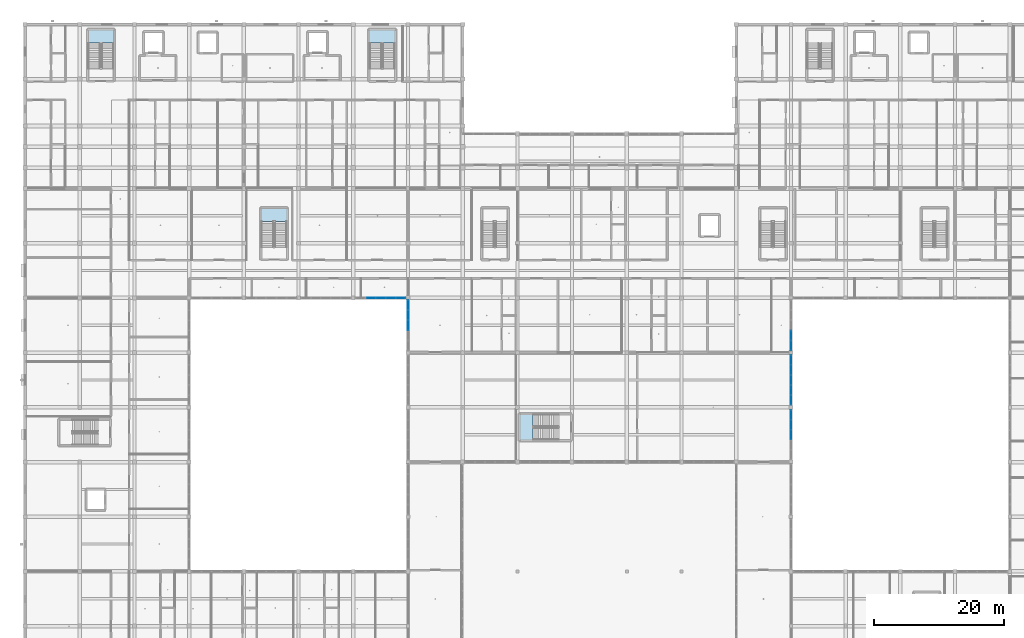
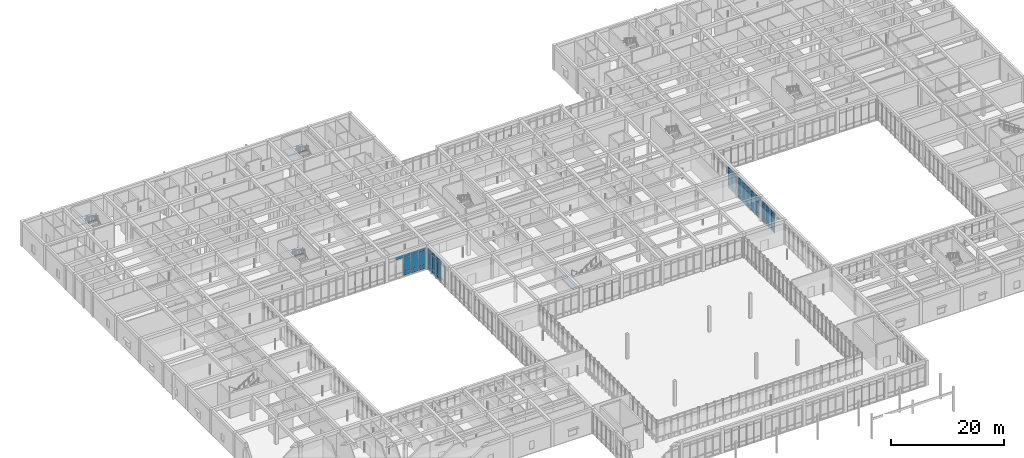
# One storey, part 67 of 157: 49 plates, 4 slabs, 9 elements without a shape of their own.
"""IFC4 building model written with IfcOpenShell, lengths in metres."""

from ifc_helpers import new_model, si_unit, direction, frame, origin, origin_2d, place, context, subcontext, project, spatial, polyline, rectangle, outline, extrude, material, layer, layer_set, type_object, element, aggregate, save


model = new_model("IFC4")

# Units and contexts
model_context = context("Model", 3, precision=1e-05, world=origin(), true_north=direction((0.0, 1.0)))
body_context = subcontext(model_context, "Body", "Model", "MODEL_VIEW")
ifc_project = project(units=[si_unit("LENGTHUNIT", "METRE"), si_unit("AREAUNIT", "SQUARE_METRE"), si_unit("VOLUMEUNIT", "CUBIC_METRE"), si_unit("PLANEANGLEUNIT", "RADIAN"), si_unit("MASSUNIT", "GRAM", prefix="KILO")], contexts=[model_context])

# Site, building, storey
site_placement = place(None, origin())
site = spatial("IfcSite", under=ifc_project, at=site_placement, CompositionType="ELEMENT")
building_placement = place(site_placement, origin())
building = spatial("IfcBuilding", under=site, at=building_placement, Name="Varncliffe General Hospital", CompositionType="ELEMENT")
storey_placement = place(building_placement, frame((0.0, 0.0, 5.39990234375)))
storey = spatial("IfcBuildingStorey", under=building, at=storey_placement, Name="L01", CompositionType="ELEMENT", Elevation=5.39990234375)

# Curtain wall, plates
ifc_material_1 = material(Name="Triple low-E argon insulated vision glazing", Category="glass")
curtain_wall_type_1 = type_object("IfcCurtainWallType", Name="Unitised Glazed Curtain Wall CW70 (7724x4640)", PredefinedType="USERDEFINED", material=ifc_material_1)
curtain_wall_1_placement = place(storey_placement, origin())
curtain_wall_1 = element("IfcCurtainWall", 1, at=curtain_wall_1_placement, inside=storey, type_object=curtain_wall_type_1, Name="L01 Glazed Curtain Wall CW70-55", ObjectType="GLAZED CURTAIN WALL", PredefinedType="USERDEFINED")
ifc_layer_1 = layer(ifc_material_1, 0.0439453125)
ifc_layer_set_1 = layer_set([ifc_layer_1], Name="Triple low-E argon insulated vision glazing")
plate_type_1 = type_object("IfcPlateType", Name="Curtain Wall Glazing Panel CP12 (44mm)", PredefinedType="CURTAIN_PANEL", material=ifc_layer_set_1)
plate_1_placement = place(storey_placement, frame((117.60009765625, 73.270751953125, 0.06005859375), z_axis=(0.0, 0.0, 1.0), x_axis=(0.0, -1.0, 0.0)))
plate_1 = element("IfcPlate", 2, at=plate_1_placement, type_object=plate_type_1, Name="CW70 panel 1.1", PredefinedType="CURTAIN_PANEL", context=body_context, shape_type="SweptSolid", body=[
    extrude(rectangle(XDim=1.432373046875, YDim=0.0439453125, at=origin_2d()), origin(), (0.0, 0.0, 1.0), 0.81005859375),
])
plate_2_placement = place(storey_placement, frame((117.60009765625, 73.270751953125, 0.93017578125), z_axis=(0.0, 0.0, 1.0), x_axis=(0.0, -1.0, 0.0)))
plate_2 = element("IfcPlate", 3, at=plate_2_placement, type_object=plate_type_1, Name="CW70 panel 1.2", PredefinedType="CURTAIN_PANEL", context=body_context, shape_type="SweptSolid", body=[
    extrude(rectangle(XDim=1.432373046875, YDim=0.0439453125, at=origin_2d()), origin(), (0.0, 0.0, 1.0), 2.97998046875),
])
plate_3_placement = place(storey_placement, frame((117.60009765625, 73.270751953125, 3.97021484375), z_axis=(0.0, 0.0, 1.0), x_axis=(0.0, -1.0, 0.0)))
plate_3 = element("IfcPlate", 4, at=plate_3_placement, type_object=plate_type_1, Name="CW70 panel 1.3", PredefinedType="CURTAIN_PANEL", context=body_context, shape_type="SweptSolid", body=[
    extrude(rectangle(XDim=1.432373046875, YDim=0.0439453125, at=origin_2d()), origin(), (0.0, 0.0, 1.0), 0.610107421875),
])
plate_4_placement = place(storey_placement, frame((117.60009765625, 71.744873046875, 0.06005859375), z_axis=(0.0, 0.0, 1.0), x_axis=(0.0, -1.0, 0.0)))
plate_4 = element("IfcPlate", 5, at=plate_4_placement, type_object=plate_type_1, Name="CW70 panel 2.1", PredefinedType="CURTAIN_PANEL", context=body_context, shape_type="SweptSolid", body=[
    extrude(rectangle(XDim=1.4697265625, YDim=0.0439453125, at=origin_2d()), origin(), (0.0, 0.0, 1.0), 0.81005859375),
])
plate_5_placement = place(storey_placement, frame((117.60009765625, 71.744873046875, 0.93017578125), z_axis=(0.0, 0.0, 1.0), x_axis=(0.0, -1.0, 0.0)))
plate_5 = element("IfcPlate", 6, at=plate_5_placement, type_object=plate_type_1, Name="CW70 panel 2.2", PredefinedType="CURTAIN_PANEL", context=body_context, shape_type="SweptSolid", body=[
    extrude(rectangle(XDim=1.4697265625, YDim=0.0439453125, at=origin_2d()), origin(), (0.0, 0.0, 1.0), 2.97998046875),
])
plate_6_placement = place(storey_placement, frame((117.60009765625, 71.744873046875, 3.97021484375), z_axis=(0.0, 0.0, 1.0), x_axis=(0.0, -1.0, 0.0)))
plate_6 = element("IfcPlate", 7, at=plate_6_placement, type_object=plate_type_1, Name="CW70 panel 2.3", PredefinedType="CURTAIN_PANEL", context=body_context, shape_type="SweptSolid", body=[
    extrude(rectangle(XDim=1.4697265625, YDim=0.0439453125, at=origin_2d()), origin(), (0.0, 0.0, 1.0), 0.610107421875),
])
plate_7_placement = place(storey_placement, frame((117.60009765625, 70.199951171875, 0.06005859375), z_axis=(0.0, 0.0, 1.0), x_axis=(0.0, -1.0, 0.0)))
plate_7 = element("IfcPlate", 8, at=plate_7_placement, type_object=plate_type_1, Name="CW70 panel 3.1", PredefinedType="CURTAIN_PANEL", context=body_context, shape_type="SweptSolid", body=[
    extrude(rectangle(XDim=1.4697265625, YDim=0.0439453125, at=origin_2d()), origin(), (0.0, 0.0, 1.0), 0.81005859375),
])
plate_8_placement = place(storey_placement, frame((117.60009765625, 70.199951171875, 0.93017578125), z_axis=(0.0, 0.0, 1.0), x_axis=(0.0, -1.0, 0.0)))
plate_8 = element("IfcPlate", 9, at=plate_8_placement, type_object=plate_type_1, Name="CW70 panel 3.2", PredefinedType="CURTAIN_PANEL", context=body_context, shape_type="SweptSolid", body=[
    extrude(rectangle(XDim=1.4697265625, YDim=0.0439453125, at=origin_2d()), origin(), (0.0, 0.0, 1.0), 2.97998046875),
])
plate_9_placement = place(storey_placement, frame((117.60009765625, 70.199951171875, 3.97021484375), z_axis=(0.0, 0.0, 1.0), x_axis=(0.0, -1.0, 0.0)))
plate_9 = element("IfcPlate", 10, at=plate_9_placement, type_object=plate_type_1, Name="CW70 panel 3.3", PredefinedType="CURTAIN_PANEL", context=body_context, shape_type="SweptSolid", body=[
    extrude(rectangle(XDim=1.4697265625, YDim=0.0439453125, at=origin_2d()), origin(), (0.0, 0.0, 1.0), 0.610107421875),
])
plate_10_placement = place(storey_placement, frame((117.60009765625, 68.6552734375, 0.06005859375), z_axis=(0.0, 0.0, 1.0), x_axis=(0.0, -1.0, 0.0)))
plate_10 = element("IfcPlate", 11, at=plate_10_placement, type_object=plate_type_1, Name="CW70 panel 4.1", PredefinedType="CURTAIN_PANEL", context=body_context, shape_type="SweptSolid", body=[
    extrude(rectangle(XDim=1.4697265625, YDim=0.0439453125, at=origin_2d()), origin(), (0.0, 0.0, 1.0), 0.81005859375),
])
plate_11_placement = place(storey_placement, frame((117.60009765625, 68.6552734375, 0.93017578125), z_axis=(0.0, 0.0, 1.0), x_axis=(0.0, -1.0, 0.0)))
plate_11 = element("IfcPlate", 12, at=plate_11_placement, type_object=plate_type_1, Name="CW70 panel 4.2", PredefinedType="CURTAIN_PANEL", context=body_context, shape_type="SweptSolid", body=[
    extrude(rectangle(XDim=1.4697265625, YDim=0.0439453125, at=origin_2d()), origin(), (0.0, 0.0, 1.0), 2.97998046875),
])
plate_12_placement = place(storey_placement, frame((117.60009765625, 68.6552734375, 3.97021484375), z_axis=(0.0, 0.0, 1.0), x_axis=(0.0, -1.0, 0.0)))
plate_12 = element("IfcPlate", 13, at=plate_12_placement, type_object=plate_type_1, Name="CW70 panel 4.3", PredefinedType="CURTAIN_PANEL", context=body_context, shape_type="SweptSolid", body=[
    extrude(rectangle(XDim=1.4697265625, YDim=0.0439453125, at=origin_2d()), origin(), (0.0, 0.0, 1.0), 0.610107421875),
])
plate_13_placement = place(storey_placement, frame((117.60009765625, 67.129150390625, 0.06005859375), z_axis=(0.0, 0.0, 1.0), x_axis=(0.0, -1.0, 0.0)))
plate_13 = element("IfcPlate", 14, at=plate_13_placement, type_object=plate_type_1, Name="CW70 panel 5.1", PredefinedType="CURTAIN_PANEL", context=body_context, shape_type="SweptSolid", body=[
    extrude(rectangle(XDim=1.432373046875, YDim=0.0439453125, at=origin_2d()), origin(), (0.0, 0.0, 1.0), 0.81005859375),
])
plate_14_placement = place(storey_placement, frame((117.60009765625, 67.129150390625, 0.93017578125), z_axis=(0.0, 0.0, 1.0), x_axis=(0.0, -1.0, 0.0)))
plate_14 = element("IfcPlate", 15, at=plate_14_placement, type_object=plate_type_1, Name="CW70 panel 5.2", PredefinedType="CURTAIN_PANEL", context=body_context, shape_type="SweptSolid", body=[
    extrude(rectangle(XDim=1.432373046875, YDim=0.0439453125, at=origin_2d()), origin(), (0.0, 0.0, 1.0), 2.97998046875),
])
plate_15_placement = place(storey_placement, frame((117.60009765625, 67.129150390625, 3.97021484375), z_axis=(0.0, 0.0, 1.0), x_axis=(0.0, -1.0, 0.0)))
plate_15 = element("IfcPlate", 16, at=plate_15_placement, type_object=plate_type_1, Name="CW70 panel 5.3", PredefinedType="CURTAIN_PANEL", context=body_context, shape_type="SweptSolid", body=[
    extrude(rectangle(XDim=1.432373046875, YDim=0.0439453125, at=origin_2d()), origin(), (0.0, 0.0, 1.0), 0.610107421875),
])
aggregate(curtain_wall_1, [plate_1, plate_2, plate_3, plate_4, plate_5, plate_6, plate_7, plate_8, plate_9, plate_10, plate_11, plate_12, plate_13, plate_14, plate_15])

curtain_wall_2_placement = place(storey_placement, origin())
curtain_wall_2 = element("IfcCurtainWall", 17, at=curtain_wall_2_placement, inside=storey, type_object=curtain_wall_type_1, Name="L01 Glazed Curtain Wall CW70-73", ObjectType="GLAZED CURTAIN WALL", PredefinedType="USERDEFINED")
plate_16_placement = place(storey_placement, frame((57.6708984375, 82.800048828125, 0.06005859375), z_axis=(0.0, 0.0, 1.0), x_axis=(-1.0, 0.0, 0.0)))
plate_16 = element("IfcPlate", 18, at=plate_16_placement, type_object=plate_type_1, Name="CW70 panel 1.1", PredefinedType="CURTAIN_PANEL", context=body_context, shape_type="SweptSolid", body=[
    extrude(rectangle(XDim=1.432373046875, YDim=0.0439453125, at=origin_2d()), origin(), (0.0, 0.0, 1.0), 0.81005859375),
])
plate_17_placement = place(storey_placement, frame((57.6708984375, 82.800048828125, 0.93017578125), z_axis=(0.0, 0.0, 1.0), x_axis=(-1.0, 0.0, 0.0)))
plate_17 = element("IfcPlate", 19, at=plate_17_placement, type_object=plate_type_1, Name="CW70 panel 1.2", PredefinedType="CURTAIN_PANEL", context=body_context, shape_type="SweptSolid", body=[
    extrude(rectangle(XDim=1.432373046875, YDim=0.0439453125, at=origin_2d()), origin(), (0.0, 0.0, 1.0), 2.97998046875),
])
plate_18_placement = place(storey_placement, frame((57.6708984375, 82.800048828125, 3.97021484375), z_axis=(0.0, 0.0, 1.0), x_axis=(-1.0, 0.0, 0.0)))
plate_18 = element("IfcPlate", 20, at=plate_18_placement, type_object=plate_type_1, Name="CW70 panel 1.3", PredefinedType="CURTAIN_PANEL", context=body_context, shape_type="SweptSolid", body=[
    extrude(rectangle(XDim=1.432373046875, YDim=0.0439453125, at=origin_2d()), origin(), (0.0, 0.0, 1.0), 0.610107421875),
])
plate_19_placement = place(storey_placement, frame((56.144775390625, 82.800048828125, 0.06005859375), z_axis=(0.0, 0.0, 1.0), x_axis=(-1.0, 0.0, 0.0)))
plate_19 = element("IfcPlate", 21, at=plate_19_placement, type_object=plate_type_1, Name="CW70 panel 2.1", PredefinedType="CURTAIN_PANEL", context=body_context, shape_type="SweptSolid", body=[
    extrude(rectangle(XDim=1.4697265625, YDim=0.0439453125, at=origin_2d()), origin(), (0.0, 0.0, 1.0), 0.81005859375),
])
plate_20_placement = place(storey_placement, frame((56.144775390625, 82.800048828125, 0.93017578125), z_axis=(0.0, 0.0, 1.0), x_axis=(-1.0, 0.0, 0.0)))
plate_20 = element("IfcPlate", 22, at=plate_20_placement, type_object=plate_type_1, Name="CW70 panel 2.2", PredefinedType="CURTAIN_PANEL", context=body_context, shape_type="SweptSolid", body=[
    extrude(rectangle(XDim=1.4697265625, YDim=0.0439453125, at=origin_2d()), origin(), (0.0, 0.0, 1.0), 2.97998046875),
])
plate_21_placement = place(storey_placement, frame((56.144775390625, 82.800048828125, 3.97021484375), z_axis=(0.0, 0.0, 1.0), x_axis=(-1.0, 0.0, 0.0)))
plate_21 = element("IfcPlate", 23, at=plate_21_placement, type_object=plate_type_1, Name="CW70 panel 2.3", PredefinedType="CURTAIN_PANEL", context=body_context, shape_type="SweptSolid", body=[
    extrude(rectangle(XDim=1.4697265625, YDim=0.0439453125, at=origin_2d()), origin(), (0.0, 0.0, 1.0), 0.610107421875),
])
plate_22_placement = place(storey_placement, frame((54.60009765625, 82.800048828125, 0.06005859375), z_axis=(0.0, 0.0, 1.0), x_axis=(-1.0, 0.0, 0.0)))
plate_22 = element("IfcPlate", 24, at=plate_22_placement, type_object=plate_type_1, Name="CW70 panel 3.1", PredefinedType="CURTAIN_PANEL", context=body_context, shape_type="SweptSolid", body=[
    extrude(rectangle(XDim=1.4697265625, YDim=0.0439453125, at=origin_2d()), origin(), (0.0, 0.0, 1.0), 0.81005859375),
])
plate_23_placement = place(storey_placement, frame((54.60009765625, 82.800048828125, 0.93017578125), z_axis=(0.0, 0.0, 1.0), x_axis=(-1.0, 0.0, 0.0)))
plate_23 = element("IfcPlate", 25, at=plate_23_placement, type_object=plate_type_1, Name="CW70 panel 3.2", PredefinedType="CURTAIN_PANEL", context=body_context, shape_type="SweptSolid", body=[
    extrude(rectangle(XDim=1.4697265625, YDim=0.0439453125, at=origin_2d()), origin(), (0.0, 0.0, 1.0), 2.97998046875),
])
plate_24_placement = place(storey_placement, frame((54.60009765625, 82.800048828125, 3.97021484375), z_axis=(0.0, 0.0, 1.0), x_axis=(-1.0, 0.0, 0.0)))
plate_24 = element("IfcPlate", 26, at=plate_24_placement, type_object=plate_type_1, Name="CW70 panel 3.3", PredefinedType="CURTAIN_PANEL", context=body_context, shape_type="SweptSolid", body=[
    extrude(rectangle(XDim=1.4697265625, YDim=0.0439453125, at=origin_2d()), origin(), (0.0, 0.0, 1.0), 0.610107421875),
])
plate_25_placement = place(storey_placement, frame((53.05517578125, 82.800048828125, 3.97021484375), z_axis=(0.0, 0.0, 1.0), x_axis=(-1.0, 0.0, 0.0)))
plate_25 = element("IfcPlate", 27, at=plate_25_placement, type_object=plate_type_1, Name="CW70 panel 4.3", PredefinedType="CURTAIN_PANEL", context=body_context, shape_type="SweptSolid", body=[
    extrude(rectangle(XDim=1.4697265625, YDim=0.0439453125, at=origin_2d()), origin(), (0.0, 0.0, 1.0), 0.610107421875),
])
aggregate(curtain_wall_2, [plate_16, plate_17, plate_18, plate_19, plate_20, plate_21, plate_22, plate_23, plate_24, plate_25])

curtain_wall_type_2 = type_object("IfcCurtainWallType", Name="Unitised Glazed Curtain Wall CW85 (7804x4640)", PredefinedType="USERDEFINED", material=ifc_material_1)
curtain_wall_3_placement = place(storey_placement, origin())
curtain_wall_3 = element("IfcCurtainWall", 28, at=curtain_wall_3_placement, inside=storey, type_object=curtain_wall_type_2, Name="L01 Glazed Curtain Wall CW85-72", ObjectType="GLAZED CURTAIN WALL", PredefinedType="USERDEFINED")
ifc_layer_2 = layer(ifc_material_1, 0.035888671875)
ifc_layer_set_2 = layer_set([ifc_layer_2], Name="Triple low-E argon insulated vision glazing")
plate_type_2 = type_object("IfcPlateType", Name="Curtain Wall Glazing Panel CP27 (36mm)", PredefinedType="CURTAIN_PANEL", material=ifc_layer_set_2)
plate_26_placement = place(storey_placement, frame((117.60009765625, 77.039306640625, 0.06494140625), z_axis=(0.0, 0.0, 1.0), x_axis=(0.0, -1.0, 0.0)))
plate_26 = element("IfcPlate", 29, at=plate_26_placement, type_object=plate_type_2, Name="CW85 panel 4.1", PredefinedType="CURTAIN_PANEL", context=body_context, shape_type="SweptSolid", body=[
    extrude(rectangle(XDim=1.48583984375, YDim=0.035888671875, at=origin_2d()), origin(), (0.0, 0.0, 1.0), 0.802490234375),
])
plate_27_placement = place(storey_placement, frame((117.60009765625, 77.039306640625, 0.9326171875), z_axis=(0.0, 0.0, 1.0), x_axis=(0.0, -1.0, 0.0)))
plate_27 = element("IfcPlate", 30, at=plate_27_placement, type_object=plate_type_2, Name="CW85 panel 4.2", PredefinedType="CURTAIN_PANEL", context=body_context, shape_type="SweptSolid", body=[
    extrude(rectangle(XDim=1.48583984375, YDim=0.035888671875, at=origin_2d()), origin(), (0.0, 0.0, 1.0), 2.97509765625),
])
plate_28_placement = place(storey_placement, frame((117.60009765625, 77.039306640625, 3.97265625), z_axis=(0.0, 0.0, 1.0), x_axis=(0.0, -1.0, 0.0)))
plate_28 = element("IfcPlate", 31, at=plate_28_placement, type_object=plate_type_2, Name="CW85 panel 4.3", PredefinedType="CURTAIN_PANEL", context=body_context, shape_type="SweptSolid", body=[
    extrude(rectangle(XDim=1.48583984375, YDim=0.035888671875, at=origin_2d()), origin(), (0.0, 0.0, 1.0), 0.6025390625),
])
plate_29_placement = place(storey_placement, frame((117.60009765625, 75.4970703125, 0.06494140625), z_axis=(0.0, 0.0, 1.0), x_axis=(0.0, -1.0, 0.0)))
plate_29 = element("IfcPlate", 32, at=plate_29_placement, type_object=plate_type_2, Name="CW85 panel 5.1", PredefinedType="CURTAIN_PANEL", context=body_context, shape_type="SweptSolid", body=[
    extrude(rectangle(XDim=1.4482421875, YDim=0.035888671875, at=origin_2d()), origin(), (0.0, 0.0, 1.0), 0.802490234375),
])
plate_30_placement = place(storey_placement, frame((117.60009765625, 75.4970703125, 0.9326171875), z_axis=(0.0, 0.0, 1.0), x_axis=(0.0, -1.0, 0.0)))
plate_30 = element("IfcPlate", 33, at=plate_30_placement, type_object=plate_type_2, Name="CW85 panel 5.2", PredefinedType="CURTAIN_PANEL", context=body_context, shape_type="SweptSolid", body=[
    extrude(rectangle(XDim=1.4482421875, YDim=0.035888671875, at=origin_2d()), origin(), (0.0, 0.0, 1.0), 2.97509765625),
])
plate_31_placement = place(storey_placement, frame((117.60009765625, 75.4970703125, 3.97265625), z_axis=(0.0, 0.0, 1.0), x_axis=(0.0, -1.0, 0.0)))
plate_31 = element("IfcPlate", 34, at=plate_31_placement, type_object=plate_type_2, Name="CW85 panel 5.3", PredefinedType="CURTAIN_PANEL", context=body_context, shape_type="SweptSolid", body=[
    extrude(rectangle(XDim=1.4482421875, YDim=0.035888671875, at=origin_2d()), origin(), (0.0, 0.0, 1.0), 0.6025390625),
])
aggregate(curtain_wall_3, [plate_26, plate_27, plate_28, plate_29, plate_30, plate_31])

curtain_wall_4_placement = place(storey_placement, origin())
curtain_wall_4 = element("IfcCurtainWall", 35, at=curtain_wall_4_placement, inside=storey, type_object=curtain_wall_type_2, Name="L01 Glazed Curtain Wall CW85-90", ObjectType="GLAZED CURTAIN WALL", PredefinedType="USERDEFINED")
plate_32_placement = place(storey_placement, frame((58.800048828125, 78.60009765625, 0.06494140625), z_axis=(0.0, 0.0, 1.0), x_axis=(0.0, 1.0, 0.0)))
plate_32 = element("IfcPlate", 36, at=plate_32_placement, type_object=plate_type_2, Name="CW85 panel 3.1", PredefinedType="CURTAIN_PANEL", context=body_context, shape_type="SweptSolid", body=[
    extrude(rectangle(XDim=1.48583984375, YDim=0.035888671875, at=origin_2d()), origin(), (0.0, 0.0, 1.0), 0.802490234375),
])
plate_33_placement = place(storey_placement, frame((58.800048828125, 78.60009765625, 0.9326171875), z_axis=(0.0, 0.0, 1.0), x_axis=(0.0, 1.0, 0.0)))
plate_33 = element("IfcPlate", 37, at=plate_33_placement, type_object=plate_type_2, Name="CW85 panel 3.2", PredefinedType="CURTAIN_PANEL", context=body_context, shape_type="SweptSolid", body=[
    extrude(rectangle(XDim=1.48583984375, YDim=0.035888671875, at=origin_2d()), origin(), (0.0, 0.0, 1.0), 2.97509765625),
])
plate_34_placement = place(storey_placement, frame((58.800048828125, 78.60009765625, 3.97265625), z_axis=(0.0, 0.0, 1.0), x_axis=(0.0, 1.0, 0.0)))
plate_34 = element("IfcPlate", 38, at=plate_34_placement, type_object=plate_type_2, Name="CW85 panel 3.3", PredefinedType="CURTAIN_PANEL", context=body_context, shape_type="SweptSolid", body=[
    extrude(rectangle(XDim=1.48583984375, YDim=0.035888671875, at=origin_2d()), origin(), (0.0, 0.0, 1.0), 0.6025390625),
])
plate_35_placement = place(storey_placement, frame((58.800048828125, 80.160888671875, 0.06494140625), z_axis=(0.0, 0.0, 1.0), x_axis=(0.0, 1.0, 0.0)))
plate_35 = element("IfcPlate", 39, at=plate_35_placement, type_object=plate_type_2, Name="CW85 panel 4.1", PredefinedType="CURTAIN_PANEL", context=body_context, shape_type="SweptSolid", body=[
    extrude(rectangle(XDim=1.48583984375, YDim=0.035888671875, at=origin_2d()), origin(), (0.0, 0.0, 1.0), 0.802490234375),
])
plate_36_placement = place(storey_placement, frame((58.800048828125, 80.160888671875, 0.9326171875), z_axis=(0.0, 0.0, 1.0), x_axis=(0.0, 1.0, 0.0)))
plate_36 = element("IfcPlate", 40, at=plate_36_placement, type_object=plate_type_2, Name="CW85 panel 4.2", PredefinedType="CURTAIN_PANEL", context=body_context, shape_type="SweptSolid", body=[
    extrude(rectangle(XDim=1.48583984375, YDim=0.035888671875, at=origin_2d()), origin(), (0.0, 0.0, 1.0), 2.97509765625),
])
plate_37_placement = place(storey_placement, frame((58.800048828125, 80.160888671875, 3.97265625), z_axis=(0.0, 0.0, 1.0), x_axis=(0.0, 1.0, 0.0)))
plate_37 = element("IfcPlate", 41, at=plate_37_placement, type_object=plate_type_2, Name="CW85 panel 4.3", PredefinedType="CURTAIN_PANEL", context=body_context, shape_type="SweptSolid", body=[
    extrude(rectangle(XDim=1.48583984375, YDim=0.035888671875, at=origin_2d()), origin(), (0.0, 0.0, 1.0), 0.6025390625),
])
plate_38_placement = place(storey_placement, frame((58.800048828125, 81.702880859375, 0.06494140625), z_axis=(0.0, 0.0, 1.0), x_axis=(0.0, 1.0, 0.0)))
plate_38 = element("IfcPlate", 42, at=plate_38_placement, type_object=plate_type_2, Name="CW85 panel 5.1", PredefinedType="CURTAIN_PANEL", context=body_context, shape_type="SweptSolid", body=[
    extrude(rectangle(XDim=1.4482421875, YDim=0.035888671875, at=origin_2d()), origin(), (0.0, 0.0, 1.0), 0.802490234375),
])
plate_39_placement = place(storey_placement, frame((58.800048828125, 81.702880859375, 0.9326171875), z_axis=(0.0, 0.0, 1.0), x_axis=(0.0, 1.0, 0.0)))
plate_39 = element("IfcPlate", 43, at=plate_39_placement, type_object=plate_type_2, Name="CW85 panel 5.2", PredefinedType="CURTAIN_PANEL", context=body_context, shape_type="SweptSolid", body=[
    extrude(rectangle(XDim=1.4482421875, YDim=0.035888671875, at=origin_2d()), origin(), (0.0, 0.0, 1.0), 2.97509765625),
])
plate_40_placement = place(storey_placement, frame((58.800048828125, 81.702880859375, 3.97265625), z_axis=(0.0, 0.0, 1.0), x_axis=(0.0, 1.0, 0.0)))
plate_40 = element("IfcPlate", 44, at=plate_40_placement, type_object=plate_type_2, Name="CW85 panel 5.3", PredefinedType="CURTAIN_PANEL", context=body_context, shape_type="SweptSolid", body=[
    extrude(rectangle(XDim=1.4482421875, YDim=0.035888671875, at=origin_2d()), origin(), (0.0, 0.0, 1.0), 0.6025390625),
])
aggregate(curtain_wall_4, [plate_32, plate_33, plate_34, plate_35, plate_36, plate_37, plate_38, plate_39, plate_40])

curtain_wall_type_3 = type_object("IfcCurtainWallType", Name="Unitised Glazed Curtain Wall CW27 (7644x4640)", PredefinedType="USERDEFINED", material=ifc_material_1)
curtain_wall_5_placement = place(storey_placement, origin())
curtain_wall_5 = element("IfcCurtainWall", 45, at=curtain_wall_5_placement, inside=storey, type_object=curtain_wall_type_3, Name="L01 Glazed Curtain Wall CW27-56", ObjectType="GLAZED CURTAIN WALL", PredefinedType="USERDEFINED")
ifc_layer_3 = layer(ifc_material_1, 0.028076171875)
ifc_layer_set_3 = layer_set([ifc_layer_3], Name="Triple low-E argon insulated vision glazing")
plate_type_3 = type_object("IfcPlateType", Name="Curtain Wall Glazing Panel CP48 (28mm)", PredefinedType="CURTAIN_PANEL", material=ifc_layer_set_3)
plate_41_placement = place(storey_placement, frame((117.60009765625, 64.84130859375, 0.06005859375), z_axis=(0.0, 0.0, 1.0), x_axis=(0.0, -1.0, 0.0)))
plate_41 = element("IfcPlate", 46, at=plate_41_placement, type_object=plate_type_3, Name="CW27 panel 1.1", PredefinedType="CURTAIN_PANEL", context=body_context, shape_type="SweptSolid", body=[
    extrude(rectangle(XDim=1.431396484375, YDim=0.028076171875, at=origin_2d()), origin(), (0.0, 0.0, 1.0), 0.81005859375),
])
plate_42_placement = place(storey_placement, frame((117.60009765625, 64.84130859375, 0.93017578125), z_axis=(0.0, 0.0, 1.0), x_axis=(0.0, -1.0, 0.0)))
plate_42 = element("IfcPlate", 47, at=plate_42_placement, type_object=plate_type_3, Name="CW27 panel 1.2", PredefinedType="CURTAIN_PANEL", context=body_context, shape_type="SweptSolid", body=[
    extrude(rectangle(XDim=1.431396484375, YDim=0.028076171875, at=origin_2d()), origin(), (0.0, 0.0, 1.0), 2.97998046875),
])
plate_43_placement = place(storey_placement, frame((117.60009765625, 64.84130859375, 3.97021484375), z_axis=(0.0, 0.0, 1.0), x_axis=(0.0, -1.0, 0.0)))
plate_43 = element("IfcPlate", 48, at=plate_43_placement, type_object=plate_type_3, Name="CW27 panel 1.3", PredefinedType="CURTAIN_PANEL", context=body_context, shape_type="SweptSolid", body=[
    extrude(rectangle(XDim=1.431396484375, YDim=0.028076171875, at=origin_2d()), origin(), (0.0, 0.0, 1.0), 0.610107421875),
])
plate_44_placement = place(storey_placement, frame((117.60009765625, 63.328857421875, 0.06005859375), z_axis=(0.0, 0.0, 1.0), x_axis=(0.0, -1.0, 0.0)))
plate_44 = element("IfcPlate", 49, at=plate_44_placement, type_object=plate_type_3, Name="CW27 panel 2.1", PredefinedType="CURTAIN_PANEL", context=body_context, shape_type="SweptSolid", body=[
    extrude(rectangle(XDim=1.4638671875, YDim=0.028076171875, at=origin_2d()), origin(), (0.0, 0.0, 1.0), 0.81005859375),
])
plate_45_placement = place(storey_placement, frame((117.60009765625, 63.328857421875, 0.93017578125), z_axis=(0.0, 0.0, 1.0), x_axis=(0.0, -1.0, 0.0)))
plate_45 = element("IfcPlate", 50, at=plate_45_placement, type_object=plate_type_3, Name="CW27 panel 2.2", PredefinedType="CURTAIN_PANEL", context=body_context, shape_type="SweptSolid", body=[
    extrude(rectangle(XDim=1.4638671875, YDim=0.028076171875, at=origin_2d()), origin(), (0.0, 0.0, 1.0), 2.97998046875),
])
plate_46_placement = place(storey_placement, frame((117.60009765625, 63.328857421875, 3.97021484375), z_axis=(0.0, 0.0, 1.0), x_axis=(0.0, -1.0, 0.0)))
plate_46 = element("IfcPlate", 51, at=plate_46_placement, type_object=plate_type_3, Name="CW27 panel 2.3", PredefinedType="CURTAIN_PANEL", context=body_context, shape_type="SweptSolid", body=[
    extrude(rectangle(XDim=1.4638671875, YDim=0.028076171875, at=origin_2d()), origin(), (0.0, 0.0, 1.0), 0.610107421875),
])
plate_47_placement = place(storey_placement, frame((117.60009765625, 61.800048828125, 0.06005859375), z_axis=(0.0, 0.0, 1.0), x_axis=(0.0, -1.0, 0.0)))
plate_47 = element("IfcPlate", 52, at=plate_47_placement, type_object=plate_type_3, Name="CW27 panel 3.1", PredefinedType="CURTAIN_PANEL", context=body_context, shape_type="SweptSolid", body=[
    extrude(rectangle(XDim=1.4638671875, YDim=0.028076171875, at=origin_2d()), origin(), (0.0, 0.0, 1.0), 0.81005859375),
])
plate_48_placement = place(storey_placement, frame((117.60009765625, 61.800048828125, 0.93017578125), z_axis=(0.0, 0.0, 1.0), x_axis=(0.0, -1.0, 0.0)))
plate_48 = element("IfcPlate", 53, at=plate_48_placement, type_object=plate_type_3, Name="CW27 panel 3.2", PredefinedType="CURTAIN_PANEL", context=body_context, shape_type="SweptSolid", body=[
    extrude(rectangle(XDim=1.4638671875, YDim=0.028076171875, at=origin_2d()), origin(), (0.0, 0.0, 1.0), 2.97998046875),
])
plate_49_placement = place(storey_placement, frame((117.60009765625, 61.800048828125, 3.97021484375), z_axis=(0.0, 0.0, 1.0), x_axis=(0.0, -1.0, 0.0)))
plate_49 = element("IfcPlate", 54, at=plate_49_placement, type_object=plate_type_3, Name="CW27 panel 3.3", PredefinedType="CURTAIN_PANEL", context=body_context, shape_type="SweptSolid", body=[
    extrude(rectangle(XDim=1.4638671875, YDim=0.028076171875, at=origin_2d()), origin(), (0.0, 0.0, 1.0), 0.610107421875),
])
aggregate(curtain_wall_5, [plate_41, plate_42, plate_43, plate_44, plate_45, plate_46, plate_47, plate_48, plate_49])

# Stair, slab
ifc_material_2 = material(Name="Concrete C35/45 (CSA A23.1 35 MPa)", Category="concrete")
stair_type = type_object("IfcStairType", Name="Hospital Stair Assembly ST-T02 (1850w-5400h)", PredefinedType="TWO_STRAIGHT_RUN_STAIR", material=ifc_material_2)
stair_1_placement = place(storey_placement, origin())
stair_1 = element("IfcStair", 55, at=stair_1_placement, inside=storey, type_object=stair_type, Name="L01 North-West Ward Exit Stair 1", PredefinedType="TWO_STRAIGHT_RUN_STAIR")
ifc_layer_4 = layer(ifc_material_2, 0.199951171875)
ifc_layer_set_4 = layer_set([ifc_layer_4], Name="Concrete C35/45 (CSA A23.1 35 MPa)")
slab_type = type_object("IfcSlabType", Name="Reinforced Concrete Stair Landing LND50 (200mm)", PredefinedType="LANDING", material=ifc_layer_set_4)
slab_1_placement = place(storey_placement, frame((0.0, 0.0, 2.5)))
slab_1 = element("IfcSlab", 56, at=slab_1_placement, type_object=slab_type, Name="ST01 landing 1", PredefinedType="LANDING", context=body_context, shape_type="SweptSolid", body=[
    extrude(outline(polyline([(13.60009765625, 121.919921875), (13.60009765625, 123.949951171875), (9.699951171875, 123.949951171875), (9.699951171875, 121.919921875), (13.60009765625, 121.919921875)])), origin(), (0.0, 0.0, 1.0), 0.2001953125),
])
aggregate(stair_1, [slab_1])

stair_2_placement = place(storey_placement, origin())
stair_2 = element("IfcStair", 57, at=stair_2_placement, inside=storey, type_object=stair_type, Name="L01 North-West Ward Exit Stair 2", PredefinedType="TWO_STRAIGHT_RUN_STAIR")
slab_2_placement = place(storey_placement, frame((0.0, 0.0, 2.5)))
slab_2 = element("IfcSlab", 58, at=slab_2_placement, type_object=slab_type, Name="ST02 landing 1", PredefinedType="LANDING", context=body_context, shape_type="SweptSolid", body=[
    extrude(outline(polyline([(56.800048828125, 121.919921875), (56.800048828125, 123.949951171875), (52.89990234375, 123.949951171875), (52.89990234375, 121.919921875), (56.800048828125, 121.919921875)])), origin(), (0.0, 0.0, 1.0), 0.2001953125),
])
aggregate(stair_2, [slab_2])

stair_3_placement = place(storey_placement, origin())
stair_3 = element("IfcStair", 59, at=stair_3_placement, inside=storey, type_object=stair_type, Name="L01 West-Central Clinical Exit Stair 13", PredefinedType="TWO_STRAIGHT_RUN_STAIR")
slab_3_placement = place(storey_placement, frame((0.0, 0.0, 2.5)))
slab_3 = element("IfcSlab", 60, at=slab_3_placement, type_object=slab_type, Name="ST13 landing 1", PredefinedType="LANDING", context=body_context, shape_type="SweptSolid", body=[
    extrude(outline(polyline([(40.199951171875, 94.52001953125), (40.199951171875, 96.550048828125), (36.300048828125, 96.550048828125), (36.300048828125, 94.52001953125), (40.199951171875, 94.52001953125)])), origin(), (0.0, 0.0, 1.0), 0.2001953125),
])
aggregate(stair_3, [slab_3])

stair_4_placement = place(storey_placement, origin())
stair_4 = element("IfcStair", 61, at=stair_4_placement, inside=storey, type_object=stair_type, Name="L01 Winter-Garden Concourse Exit Stair 16", PredefinedType="TWO_STRAIGHT_RUN_STAIR")
slab_4_placement = place(storey_placement, frame((0.0, 0.0, 2.5)))
slab_4 = element("IfcSlab", 62, at=slab_4_placement, type_object=slab_type, Name="ST16 landing 1", PredefinedType="LANDING", context=body_context, shape_type="SweptSolid", body=[
    extrude(outline(polyline([(78.030029296875, 64.89990234375), (76.0, 64.89990234375), (76.0, 61.0), (78.030029296875, 61.0), (78.030029296875, 64.89990234375)])), origin(), (0.0, 0.0, 1.0), 0.2001953125),
])
aggregate(stair_4, [slab_4])

save(model, "model.ifc")
